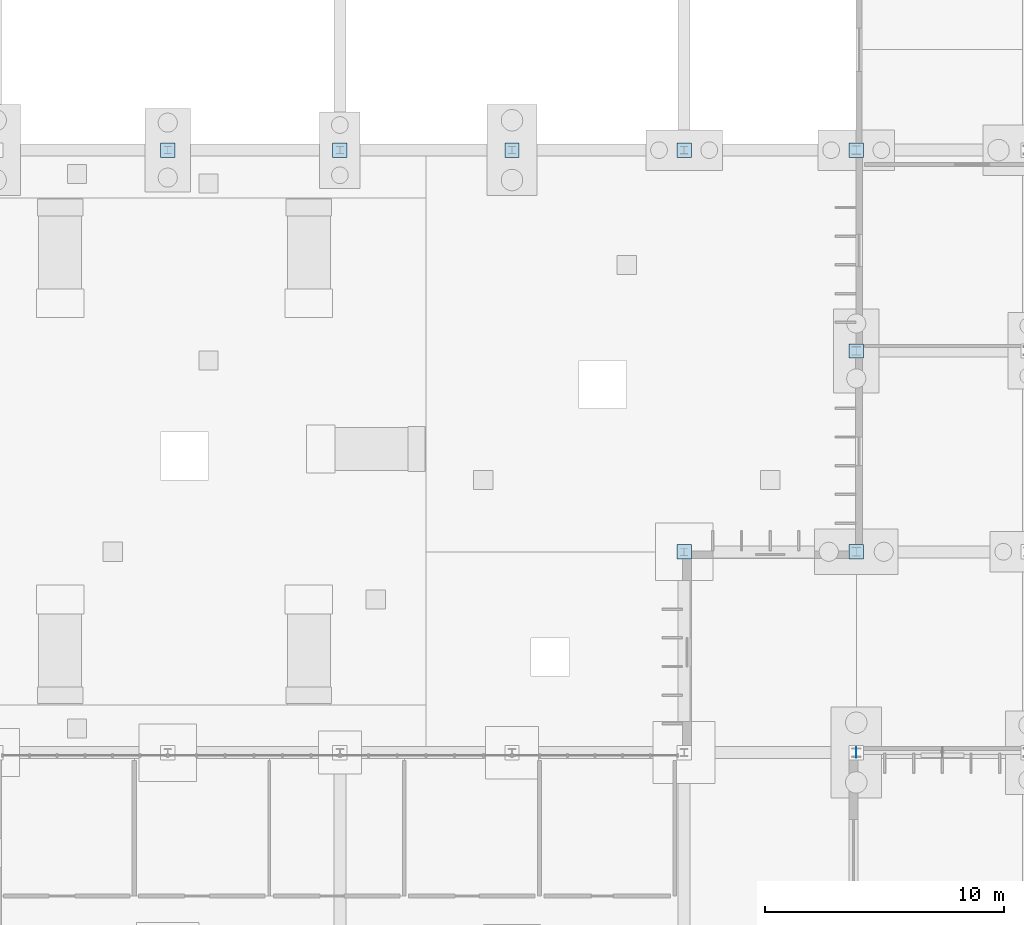
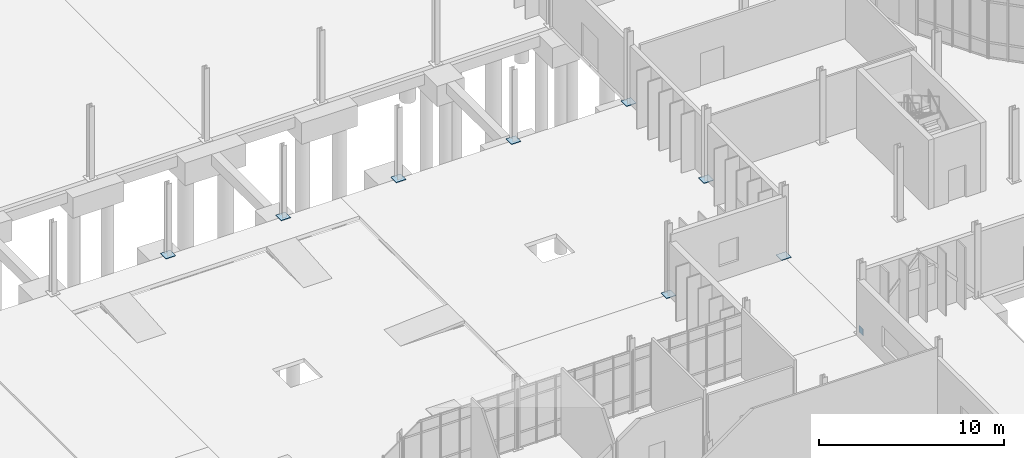
# One storey, part 77 of 118: 9 plates.
"""IFC4 building model written with IfcOpenShell, lengths in metres."""

from ifc_helpers import new_model, si_unit, direction, frame, origin, origin_2d, place, context, subcontext, project, spatial, rectangle, extrude, material, layer, layer_set, type_object, element, save


model = new_model("IFC4")

# Units and contexts
model_context = context("Model", 3, precision=1e-05, world=origin(), true_north=direction((0.0, 1.0)))
body_context = subcontext(model_context, "Body", "Model", "MODEL_VIEW")
ifc_project = project(units=[si_unit("LENGTHUNIT", "METRE"), si_unit("AREAUNIT", "SQUARE_METRE"), si_unit("VOLUMEUNIT", "CUBIC_METRE"), si_unit("PLANEANGLEUNIT", "RADIAN"), si_unit("MASSUNIT", "GRAM", prefix="KILO")], contexts=[model_context])

# Site, building, storey
site_placement = place(None, origin())
site = spatial("IfcSite", under=ifc_project, at=site_placement, CompositionType="ELEMENT")
building_placement = place(site_placement, origin())
building = spatial("IfcBuilding", under=site, at=building_placement, Name="Qelthora Terrace Specialist Clinic", CompositionType="ELEMENT")
storey_placement = place(building_placement, origin())
storey = spatial("IfcBuildingStorey", under=building, at=storey_placement, Name="L00", CompositionType="ELEMENT", Elevation=0.0)

# Plates
ifc_material = material(Name="Steel S355", Category="steel")
ifc_layer_1 = layer(ifc_material, 0.030029296875)
ifc_layer_set_1 = layer_set([ifc_layer_1], Name="Steel S355")
plate_type_1 = type_object("IfcPlateType", Name="PLT-BASE-600X600X30", PredefinedType="USERDEFINED", material=ifc_layer_set_1)
for number, where, z_axis, x_axis, name in (
    (1, (64.800048828125, 58.800048828125, 0.0), (0.0, 0.0, 1.0), (1.0, 0.0, 0.0), "Steel column base plate BPLT-084"),
    (2, (72.0, 58.800048828125, 0.0), (0.0, 0.0, 1.0), (1.0, 0.0, 0.0), "Steel column base plate BPLT-092"),
    (3, (79.199951171875, 58.800048828125, 0.0), (0.0, 0.0, 1.0), (1.0, 0.0, 0.0), "Steel column base plate BPLT-100"),
    (4, (86.39990234375, 42.0, 0.0), (0.0, 0.0, 1.0), (1.0, 0.0, 0.0), "Steel column base plate BPLT-108"),
    (5, (86.39990234375, 58.800048828125, 0.0), (0.0, 0.0, 1.0), (1.0, 0.0, 0.0), "Steel column base plate BPLT-109"),
    (6, (93.60009765625, 42.0, 0.0), (0.0, 0.0, 1.0), (1.0, 0.0, 0.0), "Steel column base plate BPLT-119"),
    (7, (93.60009765625, 50.39990234375, 0.0), (0.0, 0.0, 1.0), (1.0, 0.0, 0.0), "Steel column base plate BPLT-120"),
    (8, (93.60009765625, 58.800048828125, 0.0), (0.0, 0.0, 1.0), (1.0, 0.0, 0.0), "Steel column base plate BPLT-121"),
):
    element("IfcPlate", number, at=place(storey_placement, frame(where, z_axis=z_axis, x_axis=x_axis)), inside=storey, type_object=plate_type_1, Name=name, ObjectType="GUSSET PLATE", PredefinedType="USERDEFINED", context=body_context, shape_type="SweptSolid", body=[
        extrude(rectangle(XDim=0.60009765625, YDim=0.60009765625, at=origin_2d()), origin(), (0.0, 0.0, 1.0), 0.030029296875),
    ])
ifc_layer_2 = layer(ifc_material, 0.02001953125)
ifc_layer_set_2 = layer_set([ifc_layer_2], Name="Steel S355")
plate_type_2 = type_object("IfcPlateType", Name="PLT-GUS-480X480X20", PredefinedType="USERDEFINED", material=ifc_layer_set_2)
plate_placement = place(storey_placement, frame((93.60009765625, 33.60009765625, -0.0400390625), z_axis=(0.0, 0.0, 1.0), x_axis=(1.0, 0.0, 0.0)))
element("IfcPlate", 9, at=plate_placement, inside=storey, type_object=plate_type_2, Name="Steel truss node plate GPLT-0203", ObjectType="GUSSET PLATE", PredefinedType="USERDEFINED", context=body_context, shape_type="SweptSolid", body=[
    extrude(rectangle(XDim=0.02001953125, YDim=0.43994140625, at=origin_2d()), origin(), (0.0, 0.0, 1.0), 0.43994140625),
])

save(model, "model.ifc")
